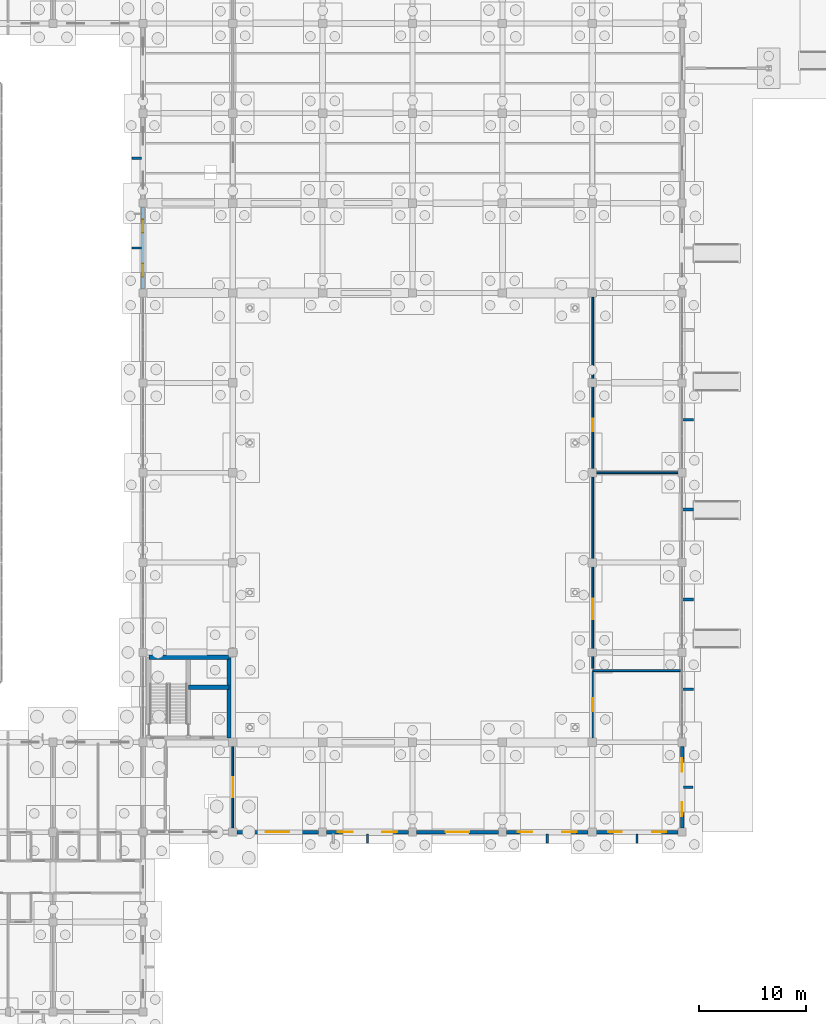
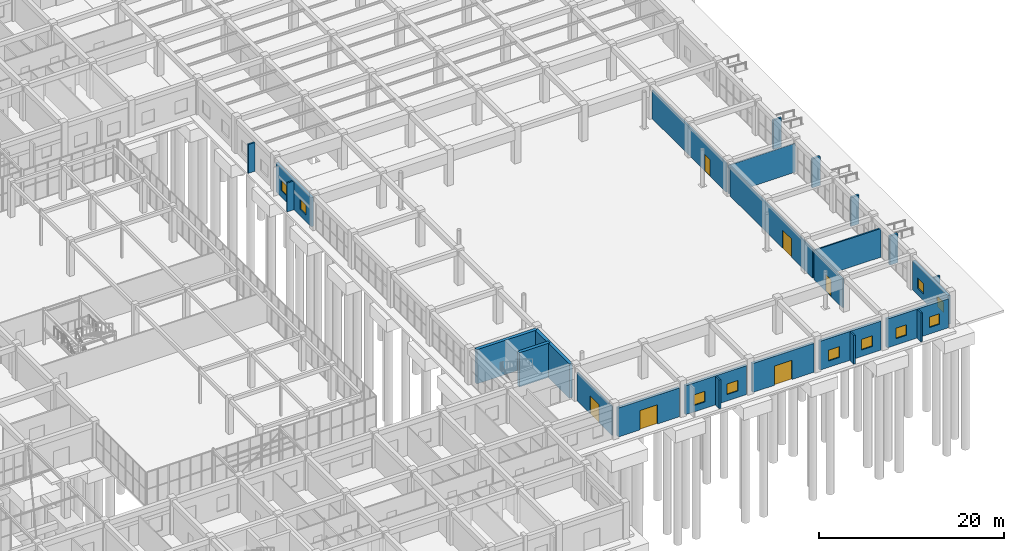
# One storey, part 171 of 192: 26 walls, 10 windows, 6 doors, 16 openings.
"""IFC4 building model written with IfcOpenShell, lengths in metres."""

from ifc_helpers import new_model, si_unit, direction, frame, frame_2d, origin, place, context, subcontext, project, spatial, rectangle, extrude, material, layer, layer_set, type_object, element, fill, save


model = new_model("IFC4")

# Units and contexts
model_context = context("Model", 3, precision=1e-05, world=origin(), true_north=direction((0.0, 1.0)))
body_context = subcontext(model_context, "Body", "Model", "MODEL_VIEW")
ifc_project = project(units=[si_unit("LENGTHUNIT", "METRE"), si_unit("AREAUNIT", "SQUARE_METRE"), si_unit("VOLUMEUNIT", "CUBIC_METRE"), si_unit("PLANEANGLEUNIT", "RADIAN"), si_unit("MASSUNIT", "GRAM", prefix="KILO")], contexts=[model_context])

# Site, building, storey
site_placement = place(None, origin())
site = spatial("IfcSite", under=ifc_project, at=site_placement, CompositionType="ELEMENT")
building_placement = place(site_placement, origin())
building = spatial("IfcBuilding", under=site, at=building_placement, Name="Trelvath General Hospital", CompositionType="ELEMENT")
storey_placement = place(building_placement, origin())
storey = spatial("IfcBuildingStorey", under=building, at=storey_placement, Name="L00", CompositionType="ELEMENT", Elevation=0.0)

# Walls
ifc_material_1 = material(Name="Precast concrete C40/50", Category="concrete")
ifc_layer_1 = layer(ifc_material_1, 0.199951171875)
ifc_layer_set_1 = layer_set([ifc_layer_1], Name="Precast concrete C40/50")
wall_type_1 = type_object("IfcWallType", Name="BriseSoleilRib 200", PredefinedType="ELEMENTEDWALL", material=ifc_layer_set_1)
for number, where, z_axis, x_axis, name in (
    (1, (134.25, 71.39990234375, 0.0), (0.0, 0.0, 1.0), (-1.0, 0.0, 0.0), "Precast Concrete Brise-Soleil Rib Fin L00-55"),
    (2, (134.25, 79.800048828125, 0.0), (0.0, 0.0, 1.0), (-1.0, 0.0, 0.0), "Precast Concrete Brise-Soleil Rib Fin L00-56"),
):
    element("IfcWall", number, at=place(storey_placement, frame(where, z_axis=z_axis, x_axis=x_axis)), inside=storey, type_object=wall_type_1, Name=name, PredefinedType="ELEMENTEDWALL", context=body_context, shape_type="SweptSolid", body=[
        extrude(rectangle(XDim=0.85009765625, YDim=0.199951171875, at=frame_2d((0.425048828125, 0.0))), origin(), (0.0, 0.0, 1.0), 3.800048828125),
    ])
for number, where, z_axis, x_axis, name in (
    (3, (155.39990234375, 16.64990234375, 0.0), (0.0, 0.0, 1.0), (0.0, -1.0, 0.0), "Precast Concrete Brise-Soleil Rib Fin L00-58"),
    (4, (172.199951171875, 16.64990234375, 0.0), (0.0, 0.0, 1.0), (0.0, -1.0, 0.0), "Precast Concrete Brise-Soleil Rib Fin L00-60"),
    (5, (180.60009765625, 16.64990234375, 0.0), (0.0, 0.0, 1.0), (0.0, -1.0, 0.0), "Precast Concrete Brise-Soleil Rib Fin L00-62"),
):
    element("IfcWall", number, at=place(storey_placement, frame(where, z_axis=z_axis, x_axis=x_axis)), inside=storey, type_object=wall_type_1, Name=name, PredefinedType="ELEMENTEDWALL", context=body_context, shape_type="SweptSolid", body=[
        extrude(rectangle(XDim=0.849853515625, YDim=0.199951171875, at=frame_2d((0.4248046875, 0.0))), origin(), (0.0, 0.0, 1.0), 3.800048828125),
    ])
wall_1_placement = place(storey_placement, frame((184.949951171875, 21.0, 0.0), z_axis=(0.0, 0.0, 1.0), x_axis=(1.0, 0.0, 0.0)))
element("IfcWall", 6, at=wall_1_placement, inside=storey, type_object=wall_type_1, Name="Precast Concrete Brise-Soleil Rib Fin L00-63", PredefinedType="ELEMENTEDWALL", context=body_context, shape_type="SweptSolid", body=[
    extrude(rectangle(XDim=0.85009765625, YDim=0.199951171875, at=frame_2d((0.425048828125, 0.0))), origin(), (0.0, 0.0, 1.0), 3.800048828125),
])

# Wall, opening, door
ifc_material_2 = material(Name="Gypsum acoustic steel-stud partition", Category="steel")
ifc_layer_2 = layer(ifc_material_2, 0.14990234375)
ifc_layer_set_2 = layer_set([ifc_layer_2], Name="Gypsum acoustic steel-stud partition")
wall_type_2 = type_object("IfcWallType", Name="ClinicalPartition 150", PredefinedType="PARTITIONING", material=ifc_layer_set_2)
wall_2_placement = place(storey_placement, frame((142.800048828125, 17.199951171875, 0.0), z_axis=(0.0, 0.0, 1.0), x_axis=(0.0, 1.0, 0.0)))
wall_2 = element("IfcWall", 7, at=wall_2_placement, inside=storey, type_object=wall_type_2, Name="Admissions Partition L00-328", PredefinedType="PARTITIONING", context=body_context, shape_type="SweptSolid", body=[
    extrude(rectangle(XDim=7.60009765625, YDim=0.14990234375, at=frame_2d((3.800048828125, 0.0))), origin(), (0.0, 0.0, 1.0), 3.800048828125),
])
opening_1_placement = place(wall_2_placement, frame((2.85009765625, 0.0, 0.0)))
opening_1 = element("IfcOpeningElement", 8, at=opening_1_placement, cuts=wall_2, Name="Opening D-0-0447", PredefinedType="OPENING", context=body_context, shape_type="SweptSolid", body=[
    extrude(rectangle(XDim=1.89990234375, YDim=2.39990234375, at=frame_2d((0.949951171875, 1.199951171875))), frame((0.0, 0.0849609375, 0.0), z_axis=(0.0, -1.0, 0.0), x_axis=(1.0, 0.0, 0.0)), (0.0, 0.0, 1.0), 0.169921875),
])
ifc_material_3 = material(Name="Thermally broken glazed aluminium pair", Category="aluminium")
door_type_1 = type_object("IfcDoorType", Name="Door BridgeEntry 1900x2400", OperationType="DOUBLE_SWING_LEFT", PredefinedType="DOOR", material=ifc_material_3)
door_1_placement = place(opening_1_placement, origin())
door_1 = element("IfcDoor", 9, at=door_1_placement, inside=storey, type_object=door_type_1, Name="Admissions Door L00-447", OperationType="DOUBLE_SWING_LEFT", OverallHeight=2.39990234375, OverallWidth=1.89990234375, PredefinedType="DOOR", context=body_context, shape_type="SweptSolid", body=[
    extrude(rectangle(XDim=1.89990234375, YDim=2.39990234375, at=frame_2d((0.949951171875, 1.199951171875))), frame((0.0, 0.02490234375, 0.0), z_axis=(0.0, -1.0, 0.0), x_axis=(1.0, 0.0, 0.0)), (0.0, 0.0, 1.0), 0.050048828125),
])
fill(opening_1, door_1)

wall_3_placement = place(storey_placement, frame((176.449951171875, 32.10009765625, 0.0), z_axis=(0.0, 0.0, 1.0), x_axis=(0.0, 1.0, 0.0)))
wall_3 = element("IfcWall", 10, at=wall_3_placement, inside=storey, type_object=wall_type_2, Name="Cafe Partition L00-333", PredefinedType="PARTITIONING", context=body_context, shape_type="SweptSolid", body=[
    extrude(rectangle(XDim=17.89990234375, YDim=0.14990234375, at=frame_2d((8.949951171875, 0.0))), origin(), (0.0, 0.0, 1.0), 3.800048828125),
])
opening_2_placement = place(wall_3_placement, frame((4.60009765625, 0.0, 0.0)))
opening_2 = element("IfcOpeningElement", 11, at=opening_2_placement, cuts=wall_3, Name="Opening D-0-0451", PredefinedType="OPENING", context=body_context, shape_type="SweptSolid", body=[
    extrude(rectangle(XDim=1.89990234375, YDim=2.39990234375, at=frame_2d((0.949951171875, 1.199951171875))), frame((0.0, 0.0849609375, 0.0), z_axis=(0.0, -1.0, 0.0), x_axis=(1.0, 0.0, 0.0)), (0.0, 0.0, 1.0), 0.169921875),
])
door_2_placement = place(opening_2_placement, origin())
door_2 = element("IfcDoor", 12, at=door_2_placement, inside=storey, type_object=door_type_1, Name="Cafe Door L00-451", OperationType="DOUBLE_SWING_LEFT", OverallHeight=2.39990234375, OverallWidth=1.89990234375, PredefinedType="DOOR", context=body_context, shape_type="SweptSolid", body=[
    extrude(rectangle(XDim=1.89990234375, YDim=2.39990234375, at=frame_2d((0.949951171875, 1.199951171875))), frame((0.0, 0.02490234375, 0.0), z_axis=(0.0, -1.0, 0.0), x_axis=(1.0, 0.0, 0.0)), (0.0, 0.0, 1.0), 0.050048828125),
])
fill(opening_2, door_2)

# Wall
wall_4_placement = place(storey_placement, frame((176.449951171875, 50.39990234375, 0.0), z_axis=(0.0, 0.0, 1.0), x_axis=(1.0, 0.0, 0.0)))
element("IfcWall", 13, at=wall_4_placement, inside=storey, type_object=wall_type_2, Name="Cafe Pharmacy Dividing Wall", PredefinedType="PARTITIONING", context=body_context, shape_type="SweptSolid", body=[
    extrude(rectangle(XDim=8.2900390625, YDim=0.14990234375, at=frame_2d((4.14501953125, 0.0))), origin(), (0.0, 0.0, 1.0), 3.800048828125),
])

# Wall, opening, door
wall_5_placement = place(storey_placement, frame((176.449951171875, 50.800048828125, 0.0), z_axis=(0.0, 0.0, 1.0), x_axis=(0.0, 1.0, 0.0)))
wall_5 = element("IfcWall", 14, at=wall_5_placement, inside=storey, type_object=wall_type_2, Name="Hospital Shop Partition L00-335", PredefinedType="PARTITIONING", context=body_context, shape_type="SweptSolid", body=[
    extrude(rectangle(XDim=16.0, YDim=0.14990234375, at=frame_2d((8.0, 0.0))), origin(), (0.0, 0.0, 1.0), 3.800048828125),
])
opening_3_placement = place(wall_5_placement, frame((3.5, 0.0, 0.0)))
opening_3 = element("IfcOpeningElement", 15, at=opening_3_placement, cuts=wall_5, Name="Opening D-0-0452", PredefinedType="OPENING", context=body_context, shape_type="SweptSolid", body=[
    extrude(rectangle(XDim=1.14990234375, YDim=2.199951171875, at=frame_2d((0.574951171875, 1.10009765625))), frame((0.0, 0.0849609375, 0.0), z_axis=(0.0, -1.0, 0.0), x_axis=(1.0, 0.0, 0.0)), (0.0, 0.0, 1.0), 0.169921875),
])
ifc_material_4 = material(Name="Phenolic cleanroom door")
door_type_2 = type_object("IfcDoorType", Name="Door Pharmacy 1150x2200", OperationType="NOTDEFINED", PredefinedType="DOOR", material=ifc_material_4)
door_3_placement = place(opening_3_placement, origin())
door_3 = element("IfcDoor", 16, at=door_3_placement, inside=storey, type_object=door_type_2, Name="Hospital Shop Door L00-452", OperationType="SINGLE_SWING_RIGHT", OverallHeight=2.199951171875, OverallWidth=1.14990234375, PredefinedType="DOOR", context=body_context, shape_type="SweptSolid", body=[
    extrude(rectangle(XDim=1.14990234375, YDim=2.199951171875, at=frame_2d((0.574951171875, 1.10009765625))), frame((0.0, 0.02490234375, 0.0), z_axis=(0.0, -1.0, 0.0), x_axis=(1.0, 0.0, 0.0)), (0.0, 0.0, 1.0), 0.050048828125),
])
fill(opening_3, door_3)

# Walls
ifc_material_5 = material(Name="Concrete C40/50", Category="concrete")
ifc_layer_3 = layer(ifc_material_5, 0.39990234375)
ifc_layer_set_3 = layer_set([ifc_layer_3], Name="Concrete C40/50")
wall_type_3 = type_object("IfcWallType", Name="CoreShearWall 400", PredefinedType="SHEAR", material=ifc_layer_set_3)
wall_6_placement = place(storey_placement, frame((134.949951171875, 33.14990234375, 0.0), z_axis=(0.0, 0.0, 1.0), x_axis=(1.0, 0.0, 0.0)))
element("IfcWall", 17, at=wall_6_placement, inside=storey, type_object=wall_type_3, Name="Core Shear Wall C7 N L00", PredefinedType="SHEAR", context=body_context, shape_type="SweptSolid", body=[
    extrude(rectangle(XDim=7.5, YDim=0.39990234375, at=frame_2d((3.75, 0.0))), origin(), (0.0, 0.0, 1.0), 4.52001953125),
])
wall_7_placement = place(storey_placement, frame((142.449951171875, 25.60009765625, 0.0), z_axis=(0.0, 0.0, 1.0), x_axis=(0.0, 1.0, 0.0)))
element("IfcWall", 18, at=wall_7_placement, inside=storey, type_object=wall_type_3, Name="Core Shear Wall C7 E L00", PredefinedType="SHEAR", context=body_context, shape_type="SweptSolid", body=[
    extrude(rectangle(XDim=7.5498046875, YDim=0.39990234375, at=frame_2d((3.77490234375, 0.0))), origin(), (0.0, 0.0, 1.0), 4.52001953125),
])
wall_8_placement = place(storey_placement, frame((138.64990234375, 30.35009765625, 0.0), z_axis=(0.0, 0.0, 1.0), x_axis=(1.0, 0.0, 0.0)))
element("IfcWall", 19, at=wall_8_placement, inside=storey, type_object=wall_type_3, Name="Core Shear Wall C7 SHAFT L00", PredefinedType="SHEAR", context=body_context, shape_type="SweptSolid", body=[
    extrude(rectangle(XDim=3.800048828125, YDim=0.39990234375, at=frame_2d((1.89990234375, 0.0))), origin(), (0.0, 0.0, 1.0), 4.52001953125),
])

# Wall, openings, windows
ifc_material_6 = material(Name="Concrete C35/45", Category="concrete")
ifc_layer_4 = layer(ifc_material_6, 0.320068359375)
ifc_layer_set_4 = layer_set([ifc_layer_4], Name="Concrete C35/45")
wall_type_4 = type_object("IfcWallType", Name="ExtThermalWall 320", PredefinedType="SOLIDWALL", material=ifc_layer_set_4)
wall_9_placement = place(storey_placement, frame((134.39990234375, 67.574951171875, 0.0), z_axis=(0.0, 0.0, 1.0), x_axis=(0.0, 1.0, 0.0)))
wall_9 = element("IfcWall", 20, at=wall_9_placement, inside=storey, type_object=wall_type_4, Name="Exterior Concrete Wall L00-87", PredefinedType="SOLIDWALL", context=body_context, shape_type="SweptSolid", body=[
    extrude(rectangle(XDim=7.650146484375, YDim=0.320068359375, at=frame_2d((3.8251953125, 0.0))), origin(), (0.0, 0.0, 1.0), 3.820068359375),
])
opening_4_placement = place(wall_9_placement, frame((1.139404296875, 0.0, 0.85009765625)))
opening_4 = element("IfcOpeningElement", 21, at=opening_4_placement, cuts=wall_9, Name="Opening WN-0-123", PredefinedType="OPENING", context=body_context, shape_type="SweptSolid", body=[
    extrude(rectangle(XDim=1.239990234375, YDim=1.340087890625, at=frame_2d((0.6201171875, 0.669921875))), frame((0.0, 0.169921875, 0.0), z_axis=(0.0, -1.0, 0.0), x_axis=(1.0, 0.0, 0.0)), (0.0, 0.0, 1.0), 0.340087890625),
])
opening_5_placement = place(wall_9_placement, frame((5.2705078125, 0.0, 0.85009765625)))
opening_5 = element("IfcOpeningElement", 22, at=opening_5_placement, cuts=wall_9, Name="Opening WN-0-124", PredefinedType="OPENING", context=body_context, shape_type="SweptSolid", body=[
    extrude(rectangle(XDim=1.239990234375, YDim=1.340087890625, at=frame_2d((0.6201171875, 0.669921875))), frame((0.0, 0.169921875, 0.0), z_axis=(0.0, -1.0, 0.0), x_axis=(1.0, 0.0, 0.0)), (0.0, 0.0, 1.0), 0.340087890625),
])
ifc_material_7 = material(Name="Low-E laminated glass", Category="glass")
window_type_1 = type_object("IfcWindowType", Name="Window Pharmacy 1240x1340", PartitioningType="DOUBLE_PANEL_VERTICAL", PredefinedType="WINDOW", material=ifc_material_7)
window_1_placement = place(opening_4_placement, origin())
window_1 = element("IfcWindow", 23, at=window_1_placement, inside=storey, type_object=window_type_1, Name="Solar Reveal Window L00-123", OverallHeight=1.340087890625, OverallWidth=1.239990234375, PartitioningType="SINGLE_PANEL", PredefinedType="WINDOW", context=body_context, shape_type="SweptSolid", body=[
    extrude(rectangle(XDim=1.239990234375, YDim=1.340087890625, at=frame_2d((0.6201171875, 0.669921875))), frame((0.0, 0.030029296875, 0.0), z_axis=(0.0, -1.0, 0.0), x_axis=(1.0, 0.0, 0.0)), (0.0, 0.0, 1.0), 0.06005859375),
])
fill(opening_4, window_1)
window_2_placement = place(opening_5_placement, origin())
window_2 = element("IfcWindow", 24, at=window_2_placement, inside=storey, type_object=window_type_1, Name="Solar Reveal Window L00-124", OverallHeight=1.340087890625, OverallWidth=1.239990234375, PartitioningType="SINGLE_PANEL", PredefinedType="WINDOW", context=body_context, shape_type="SweptSolid", body=[
    extrude(rectangle(XDim=1.239990234375, YDim=1.340087890625, at=frame_2d((0.6201171875, 0.669921875))), frame((0.0, 0.030029296875, 0.0), z_axis=(0.0, -1.0, 0.0), x_axis=(1.0, 0.0, 0.0)), (0.0, 0.0, 1.0), 0.06005859375),
])
fill(opening_5, window_2)

# Wall, opening, door
wall_10_placement = place(storey_placement, frame((150.824951171875, 16.800048828125, 0.0), z_axis=(0.0, 0.0, 1.0), x_axis=(-1.0, 0.0, 0.0)))
wall_10 = element("IfcWall", 25, at=wall_10_placement, inside=storey, type_object=wall_type_4, Name="Exterior Concrete Wall L00-91", PredefinedType="SOLIDWALL", context=body_context, shape_type="SweptSolid", body=[
    extrude(rectangle(XDim=7.64990234375, YDim=0.320068359375, at=frame_2d((3.824951171875, 0.0))), origin(), (0.0, 0.0, 1.0), 3.820068359375),
])
opening_6_placement = place(wall_10_placement, frame((2.72509765625, 0.0, 0.0)))
opening_6 = element("IfcOpeningElement", 26, at=opening_6_placement, cuts=wall_10, Name="Opening E13", PredefinedType="OPENING", context=body_context, shape_type="SweptSolid", body=[
    extrude(rectangle(XDim=2.199951171875, YDim=2.550048828125, at=frame_2d((1.10009765625, 1.27490234375))), frame((0.0, 0.169921875, 0.0), z_axis=(0.0, -1.0, 0.0), x_axis=(1.0, 0.0, 0.0)), (0.0, 0.0, 1.0), 0.340087890625),
])
ifc_material_8 = material(Name="Anodised glazed entrance pair")
door_type_3 = type_object("IfcDoorType", Name="Door MainEntry 2200x2550", OperationType="DOUBLE_SWING_LEFT", PredefinedType="DOOR", material=ifc_material_8)
door_4_placement = place(opening_6_placement, origin())
door_4 = element("IfcDoor", 27, at=door_4_placement, inside=storey, type_object=door_type_3, Name="Pedestrian Final Exit Door E13", OperationType="DOUBLE_SWING_LEFT", OverallHeight=2.550048828125, OverallWidth=2.199951171875, PredefinedType="DOOR", context=body_context, shape_type="SweptSolid", body=[
    extrude(rectangle(XDim=2.199951171875, YDim=2.550048828125, at=frame_2d((1.10009765625, 1.27490234375))), frame((0.0, 0.02490234375, 0.0), z_axis=(0.0, -1.0, 0.0), x_axis=(1.0, 0.0, 0.0)), (0.0, 0.0, 1.0), 0.050048828125),
])
fill(opening_6, door_4)

# Wall, openings, windows
wall_11_placement = place(storey_placement, frame((159.22509765625, 16.800048828125, 0.0), z_axis=(0.0, 0.0, 1.0), x_axis=(-1.0, 0.0, 0.0)))
wall_11 = element("IfcWall", 28, at=wall_11_placement, inside=storey, type_object=wall_type_4, Name="Exterior Concrete Wall L00-93", PredefinedType="SOLIDWALL", context=body_context, shape_type="SweptSolid", body=[
    extrude(rectangle(XDim=7.650146484375, YDim=0.320068359375, at=frame_2d((3.8251953125, 0.0))), origin(), (0.0, 0.0, 1.0), 3.820068359375),
])
opening_7_placement = place(wall_11_placement, frame((1.0595703125, 0.0, 0.85009765625)))
opening_7 = element("IfcOpeningElement", 29, at=opening_7_placement, cuts=wall_11, Name="Opening WN-0-131", PredefinedType="OPENING", context=body_context, shape_type="SweptSolid", body=[
    extrude(rectangle(XDim=1.39990234375, YDim=1.39990234375, at=frame_2d((0.699951171875, 0.699951171875))), frame((0.0, 0.169921875, 0.0), z_axis=(0.0, -1.0, 0.0), x_axis=(1.0, 0.0, 0.0)), (0.0, 0.0, 1.0), 0.340087890625),
])
opening_8_placement = place(wall_11_placement, frame((5.1904296875, 0.0, 0.85009765625)))
opening_8 = element("IfcOpeningElement", 30, at=opening_8_placement, cuts=wall_11, Name="Opening WN-0-132", PredefinedType="OPENING", context=body_context, shape_type="SweptSolid", body=[
    extrude(rectangle(XDim=1.39990234375, YDim=1.39990234375, at=frame_2d((0.699951171875, 0.699951171875))), frame((0.0, 0.169921875, 0.0), z_axis=(0.0, -1.0, 0.0), x_axis=(1.0, 0.0, 0.0)), (0.0, 0.0, 1.0), 0.340087890625),
])
ifc_material_9 = material(Name="Low-E laminated glass", Category="glass")
window_type_2 = type_object("IfcWindowType", Name="Window Surgical 1400x1400", PartitioningType="DOUBLE_PANEL_VERTICAL", PredefinedType="WINDOW", material=ifc_material_9)
window_3_placement = place(opening_7_placement, origin())
window_3 = element("IfcWindow", 31, at=window_3_placement, inside=storey, type_object=window_type_2, Name="Solar Reveal Window L00-131", OverallHeight=1.39990234375, OverallWidth=1.39990234375, PartitioningType="SINGLE_PANEL", PredefinedType="WINDOW", context=body_context, shape_type="SweptSolid", body=[
    extrude(rectangle(XDim=1.39990234375, YDim=1.39990234375, at=frame_2d((0.699951171875, 0.699951171875))), frame((0.0, 0.030029296875, 0.0), z_axis=(0.0, -1.0, 0.0), x_axis=(1.0, 0.0, 0.0)), (0.0, 0.0, 1.0), 0.06005859375),
])
fill(opening_7, window_3)
window_4_placement = place(opening_8_placement, origin())
window_4 = element("IfcWindow", 32, at=window_4_placement, inside=storey, type_object=window_type_2, Name="Solar Reveal Window L00-132", OverallHeight=1.39990234375, OverallWidth=1.39990234375, PartitioningType="SINGLE_PANEL", PredefinedType="WINDOW", context=body_context, shape_type="SweptSolid", body=[
    extrude(rectangle(XDim=1.39990234375, YDim=1.39990234375, at=frame_2d((0.699951171875, 0.699951171875))), frame((0.0, 0.030029296875, 0.0), z_axis=(0.0, -1.0, 0.0), x_axis=(1.0, 0.0, 0.0)), (0.0, 0.0, 1.0), 0.06005859375),
])
fill(opening_8, window_4)

# Wall, opening, door
wall_12_placement = place(storey_placement, frame((167.625, 16.800048828125, 0.0), z_axis=(0.0, 0.0, 1.0), x_axis=(-1.0, 0.0, 0.0)))
wall_12 = element("IfcWall", 33, at=wall_12_placement, inside=storey, type_object=wall_type_4, Name="Exterior Concrete Wall L00-95", PredefinedType="SOLIDWALL", context=body_context, shape_type="SweptSolid", body=[
    extrude(rectangle(XDim=7.64990234375, YDim=0.320068359375, at=frame_2d((3.824951171875, 0.0))), origin(), (0.0, 0.0, 1.0), 3.820068359375),
])
opening_9_placement = place(wall_12_placement, frame((2.72509765625, 0.0, 0.0)))
opening_9 = element("IfcOpeningElement", 34, at=opening_9_placement, cuts=wall_12, Name="Opening E15", PredefinedType="OPENING", context=body_context, shape_type="SweptSolid", body=[
    extrude(rectangle(XDim=2.199951171875, YDim=2.550048828125, at=frame_2d((1.10009765625, 1.27490234375))), frame((0.0, 0.169921875, 0.0), z_axis=(0.0, -1.0, 0.0), x_axis=(1.0, 0.0, 0.0)), (0.0, 0.0, 1.0), 0.340087890625),
])
door_5_placement = place(opening_9_placement, origin())
door_5 = element("IfcDoor", 35, at=door_5_placement, inside=storey, type_object=door_type_3, Name="Pedestrian Final Exit Door E15", OperationType="DOUBLE_SWING_LEFT", OverallHeight=2.550048828125, OverallWidth=2.199951171875, PredefinedType="DOOR", context=body_context, shape_type="SweptSolid", body=[
    extrude(rectangle(XDim=2.199951171875, YDim=2.550048828125, at=frame_2d((1.10009765625, 1.27490234375))), frame((0.0, 0.02490234375, 0.0), z_axis=(0.0, -1.0, 0.0), x_axis=(1.0, 0.0, 0.0)), (0.0, 0.0, 1.0), 0.050048828125),
])
fill(opening_9, door_5)

# Wall, openings, windows
wall_13_placement = place(storey_placement, frame((176.02490234375, 16.800048828125, 0.0), z_axis=(0.0, 0.0, 1.0), x_axis=(-1.0, 0.0, 0.0)))
wall_13 = element("IfcWall", 36, at=wall_13_placement, inside=storey, type_object=wall_type_4, Name="Exterior Concrete Wall L00-97", PredefinedType="SOLIDWALL", context=body_context, shape_type="SweptSolid", body=[
    extrude(rectangle(XDim=7.64990234375, YDim=0.320068359375, at=frame_2d((3.824951171875, 0.0))), origin(), (0.0, 0.0, 1.0), 3.820068359375),
])
opening_10_placement = place(wall_13_placement, frame((1.07958984375, 0.0, 0.85009765625)))
opening_10 = element("IfcOpeningElement", 37, at=opening_10_placement, cuts=wall_13, Name="Opening WN-0-135", PredefinedType="OPENING", context=body_context, shape_type="SweptSolid", body=[
    extrude(rectangle(XDim=1.360107421875, YDim=1.419921875, at=frame_2d((0.68017578125, 0.7099609375))), frame((0.0, 0.169921875, 0.0), z_axis=(0.0, -1.0, 0.0), x_axis=(1.0, 0.0, 0.0)), (0.0, 0.0, 1.0), 0.340087890625),
])
opening_11_placement = place(wall_13_placement, frame((5.21044921875, 0.0, 0.85009765625)))
opening_11 = element("IfcOpeningElement", 38, at=opening_11_placement, cuts=wall_13, Name="Opening WN-0-136", PredefinedType="OPENING", context=body_context, shape_type="SweptSolid", body=[
    extrude(rectangle(XDim=1.360107421875, YDim=1.419921875, at=frame_2d((0.68017578125, 0.7099609375))), frame((0.0, 0.169921875, 0.0), z_axis=(0.0, -1.0, 0.0), x_axis=(1.0, 0.0, 0.0)), (0.0, 0.0, 1.0), 0.340087890625),
])
ifc_material_10 = material(Name="Low-E laminated glass", Category="glass")
window_type_3 = type_object("IfcWindowType", Name="Window Pathology 1360x1420", PartitioningType="DOUBLE_PANEL_VERTICAL", PredefinedType="WINDOW", material=ifc_material_10)
window_5_placement = place(opening_10_placement, origin())
window_5 = element("IfcWindow", 39, at=window_5_placement, inside=storey, type_object=window_type_3, Name="Solar Reveal Window L00-135", OverallHeight=1.419921875, OverallWidth=1.360107421875, PartitioningType="SINGLE_PANEL", PredefinedType="WINDOW", context=body_context, shape_type="SweptSolid", body=[
    extrude(rectangle(XDim=1.360107421875, YDim=1.419921875, at=frame_2d((0.68017578125, 0.7099609375))), frame((0.0, 0.030029296875, 0.0), z_axis=(0.0, -1.0, 0.0), x_axis=(1.0, 0.0, 0.0)), (0.0, 0.0, 1.0), 0.06005859375),
])
fill(opening_10, window_5)
window_6_placement = place(opening_11_placement, origin())
window_6 = element("IfcWindow", 40, at=window_6_placement, inside=storey, type_object=window_type_3, Name="Solar Reveal Window L00-136", OverallHeight=1.419921875, OverallWidth=1.360107421875, PartitioningType="SINGLE_PANEL", PredefinedType="WINDOW", context=body_context, shape_type="SweptSolid", body=[
    extrude(rectangle(XDim=1.360107421875, YDim=1.419921875, at=frame_2d((0.68017578125, 0.7099609375))), frame((0.0, 0.030029296875, 0.0), z_axis=(0.0, -1.0, 0.0), x_axis=(1.0, 0.0, 0.0)), (0.0, 0.0, 1.0), 0.06005859375),
])
fill(opening_11, window_6)

wall_14_placement = place(storey_placement, frame((184.425048828125, 16.800048828125, 0.0), z_axis=(0.0, 0.0, 1.0), x_axis=(-1.0, 0.0, 0.0)))
wall_14 = element("IfcWall", 41, at=wall_14_placement, inside=storey, type_object=wall_type_4, Name="Exterior Concrete Wall L00-99", PredefinedType="SOLIDWALL", context=body_context, shape_type="SweptSolid", body=[
    extrude(rectangle(XDim=7.650146484375, YDim=0.320068359375, at=frame_2d((3.8251953125, 0.0))), origin(), (0.0, 0.0, 1.0), 3.820068359375),
])
opening_12_placement = place(wall_14_placement, frame((1.119384765625, 0.0, 0.85009765625)))
opening_12 = element("IfcOpeningElement", 42, at=opening_12_placement, cuts=wall_14, Name="Opening WN-0-139", PredefinedType="OPENING", context=body_context, shape_type="SweptSolid", body=[
    extrude(rectangle(XDim=1.280029296875, YDim=1.3798828125, at=frame_2d((0.64013671875, 0.68994140625))), frame((0.0, 0.169921875, 0.0), z_axis=(0.0, -1.0, 0.0), x_axis=(1.0, 0.0, 0.0)), (0.0, 0.0, 1.0), 0.340087890625),
])
opening_13_placement = place(wall_14_placement, frame((5.25048828125, 0.0, 0.85009765625)))
opening_13 = element("IfcOpeningElement", 43, at=opening_13_placement, cuts=wall_14, Name="Opening WN-0-140", PredefinedType="OPENING", context=body_context, shape_type="SweptSolid", body=[
    extrude(rectangle(XDim=1.280029296875, YDim=1.3798828125, at=frame_2d((0.64013671875, 0.68994140625))), frame((0.0, 0.169921875, 0.0), z_axis=(0.0, -1.0, 0.0), x_axis=(1.0, 0.0, 0.0)), (0.0, 0.0, 1.0), 0.340087890625),
])
ifc_material_11 = material(Name="Low-E laminated glass", Category="glass")
window_type_4 = type_object("IfcWindowType", Name="Window Telemetry 1280x1380", PartitioningType="DOUBLE_PANEL_VERTICAL", PredefinedType="WINDOW", material=ifc_material_11)
window_7_placement = place(opening_12_placement, origin())
window_7 = element("IfcWindow", 44, at=window_7_placement, inside=storey, type_object=window_type_4, Name="Solar Reveal Window L00-139", OverallHeight=1.3798828125, OverallWidth=1.280029296875, PartitioningType="SINGLE_PANEL", PredefinedType="WINDOW", context=body_context, shape_type="SweptSolid", body=[
    extrude(rectangle(XDim=1.280029296875, YDim=1.3798828125, at=frame_2d((0.64013671875, 0.68994140625))), frame((0.0, 0.030029296875, 0.0), z_axis=(0.0, -1.0, 0.0), x_axis=(1.0, 0.0, 0.0)), (0.0, 0.0, 1.0), 0.06005859375),
])
fill(opening_12, window_7)
window_8_placement = place(opening_13_placement, origin())
window_8 = element("IfcWindow", 45, at=window_8_placement, inside=storey, type_object=window_type_4, Name="Solar Reveal Window L00-140", OverallHeight=1.3798828125, OverallWidth=1.280029296875, PartitioningType="SINGLE_PANEL", PredefinedType="WINDOW", context=body_context, shape_type="SweptSolid", body=[
    extrude(rectangle(XDim=1.280029296875, YDim=1.3798828125, at=frame_2d((0.64013671875, 0.68994140625))), frame((0.0, 0.030029296875, 0.0), z_axis=(0.0, -1.0, 0.0), x_axis=(1.0, 0.0, 0.0)), (0.0, 0.0, 1.0), 0.06005859375),
])
fill(opening_13, window_8)

wall_15_placement = place(storey_placement, frame((184.800048828125, 24.824951171875, 0.0), z_axis=(0.0, 0.0, 1.0), x_axis=(0.0, -1.0, 0.0)))
wall_15 = element("IfcWall", 46, at=wall_15_placement, inside=storey, type_object=wall_type_4, Name="Exterior Concrete Wall L00-100", PredefinedType="SOLIDWALL", context=body_context, shape_type="SweptSolid", body=[
    extrude(rectangle(XDim=7.64990234375, YDim=0.320068359375, at=frame_2d((3.824951171875, 0.0))), origin(), (0.0, 0.0, 1.0), 3.820068359375),
])
opening_14_placement = place(wall_15_placement, frame((1.119384765625, 0.0, 0.85009765625)))
opening_14 = element("IfcOpeningElement", 47, at=opening_14_placement, cuts=wall_15, Name="Opening WN-0-141", PredefinedType="OPENING", context=body_context, shape_type="SweptSolid", body=[
    extrude(rectangle(XDim=1.280029296875, YDim=1.3798828125, at=frame_2d((0.64013671875, 0.68994140625))), frame((0.0, 0.169921875, 0.0), z_axis=(0.0, -1.0, 0.0), x_axis=(1.0, 0.0, 0.0)), (0.0, 0.0, 1.0), 0.340087890625),
])
opening_15_placement = place(wall_15_placement, frame((5.25048828125, 0.0, 0.85009765625)))
opening_15 = element("IfcOpeningElement", 48, at=opening_15_placement, cuts=wall_15, Name="Opening WN-0-142", PredefinedType="OPENING", context=body_context, shape_type="SweptSolid", body=[
    extrude(rectangle(XDim=1.280029296875, YDim=1.3798828125, at=frame_2d((0.64013671875, 0.68994140625))), frame((0.0, 0.169921875, 0.0), z_axis=(0.0, -1.0, 0.0), x_axis=(1.0, 0.0, 0.0)), (0.0, 0.0, 1.0), 0.340087890625),
])
window_9_placement = place(opening_14_placement, origin())
window_9 = element("IfcWindow", 49, at=window_9_placement, inside=storey, type_object=window_type_4, Name="Solar Reveal Window L00-141", OverallHeight=1.3798828125, OverallWidth=1.280029296875, PartitioningType="SINGLE_PANEL", PredefinedType="WINDOW", context=body_context, shape_type="SweptSolid", body=[
    extrude(rectangle(XDim=1.280029296875, YDim=1.3798828125, at=frame_2d((0.64013671875, 0.68994140625))), frame((0.0, 0.030029296875, 0.0), z_axis=(0.0, -1.0, 0.0), x_axis=(1.0, 0.0, 0.0)), (0.0, 0.0, 1.0), 0.06005859375),
])
fill(opening_14, window_9)
window_10_placement = place(opening_15_placement, origin())
window_10 = element("IfcWindow", 50, at=window_10_placement, inside=storey, type_object=window_type_4, Name="Solar Reveal Window L00-142", OverallHeight=1.3798828125, OverallWidth=1.280029296875, PartitioningType="SINGLE_PANEL", PredefinedType="WINDOW", context=body_context, shape_type="SweptSolid", body=[
    extrude(rectangle(XDim=1.280029296875, YDim=1.3798828125, at=frame_2d((0.64013671875, 0.68994140625))), frame((0.0, 0.030029296875, 0.0), z_axis=(0.0, -1.0, 0.0), x_axis=(1.0, 0.0, 0.0)), (0.0, 0.0, 1.0), 0.06005859375),
])
fill(opening_15, window_10)

# Wall, opening, door
ifc_material_12 = material(Name="Masonry fire blockwork", Category="masonry")
ifc_layer_5 = layer(ifc_material_12, 0.179931640625)
ifc_layer_set_5 = layer_set([ifc_layer_5], Name="Masonry fire blockwork")
wall_type_5 = type_object("IfcWallType", Name="SmokeBarrierWall 180", PredefinedType="PARTITIONING", material=ifc_layer_set_5)
wall_16_placement = place(storey_placement, frame((176.449951171875, 25.60009765625, 0.0), z_axis=(0.0, 0.0, 1.0), x_axis=(0.0, 1.0, 0.0)))
wall_16 = element("IfcWall", 51, at=wall_16_placement, inside=storey, type_object=wall_type_5, Name="Fire Command Partition L00-331", PredefinedType="PARTITIONING", context=body_context, shape_type="SweptSolid", body=[
    extrude(rectangle(XDim=6.199951171875, YDim=0.179931640625, at=frame_2d((3.10009765625, 0.0))), origin(), (0.0, 0.0, 1.0), 3.800048828125),
])
opening_16_placement = place(wall_16_placement, frame((2.5, 0.0, 0.0)))
opening_16 = element("IfcOpeningElement", 52, at=opening_16_placement, cuts=wall_16, Name="Opening FD-0-0450", PredefinedType="OPENING", context=body_context, shape_type="SweptSolid", body=[
    extrude(rectangle(XDim=1.199951171875, YDim=2.199951171875, at=frame_2d((0.60009765625, 1.10009765625))), frame((0.0, 0.099853515625, 0.0), z_axis=(0.0, -1.0, 0.0), x_axis=(1.0, 0.0, 0.0)), (0.0, 0.0, 1.0), 0.199951171875),
])
ifc_material_13 = material(Name="Fire-rated steel door", Category="steel")
door_type_4 = type_object("IfcDoorType", Name="Door FireLobby 1200x2200", OperationType="NOTDEFINED", PredefinedType="DOOR", material=ifc_material_13)
door_6_placement = place(opening_16_placement, origin())
door_6 = element("IfcDoor", 53, at=door_6_placement, inside=storey, type_object=door_type_4, Name="Fire Command Door L00-450", OperationType="SINGLE_SWING_LEFT", OverallHeight=2.199951171875, OverallWidth=1.199951171875, PredefinedType="DOOR", context=body_context, shape_type="SweptSolid", body=[
    extrude(rectangle(XDim=1.199951171875, YDim=2.199951171875, at=frame_2d((0.60009765625, 1.10009765625))), frame((0.0, 0.02490234375, 0.0), z_axis=(0.0, -1.0, 0.0), x_axis=(1.0, 0.0, 0.0)), (0.0, 0.0, 1.0), 0.050048828125),
])
fill(opening_16, door_6)

# Walls
wall_17_placement = place(storey_placement, frame((176.449951171875, 31.89990234375, 0.0), z_axis=(0.0, 0.0, 1.0), x_axis=(1.0, 0.0, 0.0)))
element("IfcWall", 54, at=wall_17_placement, inside=storey, type_object=wall_type_5, Name="Fire Command Room Wall N", PredefinedType="PARTITIONING", context=body_context, shape_type="SweptSolid", body=[
    extrude(rectangle(XDim=8.2900390625, YDim=0.179931640625, at=frame_2d((4.14501953125, 0.0))), origin(), (0.0, 0.0, 1.0), 3.800048828125),
])
ifc_material_14 = material(Name="Precast concrete C40/50", Category="concrete")
ifc_layer_6 = layer(ifc_material_14, 0.260009765625)
ifc_layer_set_6 = layer_set([ifc_layer_6], Name="Precast concrete C40/50")
wall_type_6 = type_object("IfcWallType", Name="StreetArcadeFin 260", PredefinedType="ELEMENTEDWALL", material=ifc_layer_set_6)
for number, where, z_axis, x_axis, name in (
    (55, (184.820068359375, 30.14990234375, 0.0), (0.0, 0.0, 1.0), (1.0, 0.0, 0.0), "Sculpted Concrete Street Arcade Fin L00-64"),
    (56, (184.820068359375, 38.550048828125, 0.0), (0.0, 0.0, 1.0), (1.0, 0.0, 0.0), "Sculpted Concrete Street Arcade Fin L00-65"),
    (57, (184.820068359375, 46.949951171875, 0.0), (0.0, 0.0, 1.0), (1.0, 0.0, 0.0), "Sculpted Concrete Street Arcade Fin L00-66"),
    (58, (184.820068359375, 55.35009765625, 0.0), (0.0, 0.0, 1.0), (1.0, 0.0, 0.0), "Sculpted Concrete Street Arcade Fin L00-67"),
):
    element("IfcWall", number, at=place(storey_placement, frame(where, z_axis=z_axis, x_axis=x_axis)), inside=storey, type_object=wall_type_6, Name=name, PredefinedType="ELEMENTEDWALL", context=body_context, shape_type="SweptSolid", body=[
        extrude(rectangle(XDim=1.030029296875, YDim=0.260009765625, at=frame_2d((0.51513671875, 0.0))), origin(), (0.0, 0.0, 1.0), 3.820068359375),
    ])

save(model, "model.ifc")
